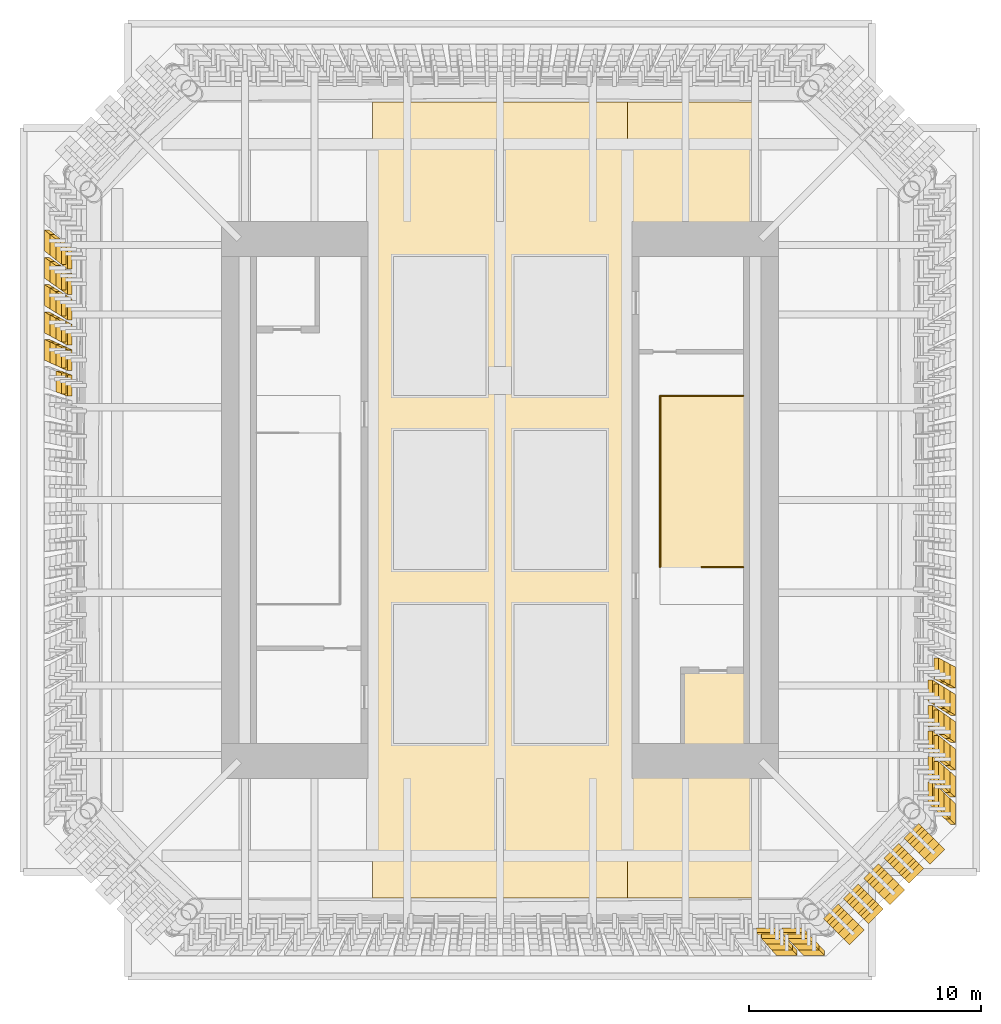
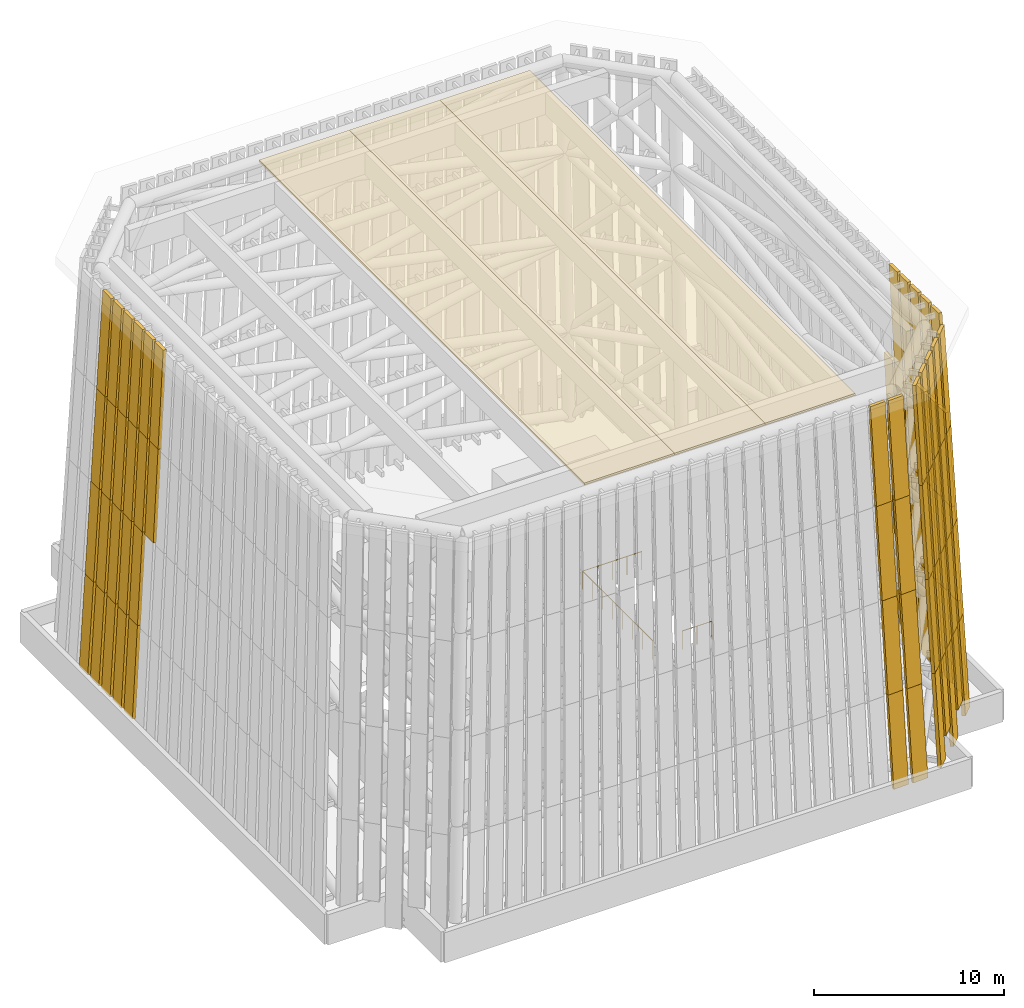
# One storey, part 9 of 13: 73 shading devices, 3 coverings, 2 railings.
"""IFC4 building model written with IfcOpenShell, lengths in metres."""

from ifc_helpers import new_model, si_unit, direction, frame, origin, origin_2d, place, context, subcontext, project, spatial, polyline, rectangle, circle, outline, extrude, source, transform, mapped, material, layer, layer_set, material_profile, profile_set, type_object, element, save


model = new_model("IFC4")

# Units and contexts
model_context = context("Model", 3, precision=1e-05, world=origin(), true_north=direction((0.0, 1.0)))
body_context = subcontext(model_context, "Body", "Model", "MODEL_VIEW")
ifc_project = project(units=[si_unit("LENGTHUNIT", "METRE"), si_unit("AREAUNIT", "SQUARE_METRE"), si_unit("VOLUMEUNIT", "CUBIC_METRE"), si_unit("PLANEANGLEUNIT", "RADIAN"), si_unit("MASSUNIT", "GRAM", prefix="KILO")], contexts=[model_context])

# Site, building, storey
site_placement = place(None, origin())
site = spatial("IfcSite", under=ifc_project, at=site_placement, CompositionType="ELEMENT")
building_placement = place(site_placement, origin())
building = spatial("IfcBuilding", under=site, at=building_placement, Name="Peilmerk Tower", CompositionType="ELEMENT")
storey_placement = place(building_placement, frame((0.0, 0.0, 307.800048828125)))
storey = spatial("IfcBuildingStorey", under=building, at=storey_placement, Name="RF", CompositionType="ELEMENT", Elevation=307.800048828125)

# Railings
ifc_material_1 = material(Name="Steel flat bar balustrade", Category="steel")
railing_type = type_object("IfcRailingType", Name="GR1 1200 stair guard", PredefinedType="GUARDRAIL", material=ifc_material_1)
railing_1_placement = place(storey_placement, frame((8.699951171875, -2.89990234375, 0.0)))
element("IfcRailing", 1, at=railing_1_placement, inside=storey, type_object=railing_type, Name="Guard stair 2 RF", PredefinedType="GUARDRAIL", context=body_context, shape_type="SweptSolid", body=[
    extrude(circle(Radius=0.02392578125, at=origin_2d()), frame((0.0, 0.0, 1.17578125), z_axis=(1.0, 0.0, 0.0), x_axis=(0.0, 1.0, 0.0)), (0.0, 0.0, 1.0), 1.800048828125),
    extrude(circle(Radius=0.02099609375, at=origin_2d()), origin(), (0.0, 0.0, 1.0), 1.15185546875),
    extrude(circle(Radius=0.02099609375, at=origin_2d()), frame((0.89990234375, 0.0, 0.0)), (0.0, 0.0, 1.0), 1.15185546875),
    extrude(circle(Radius=0.02099609375, at=origin_2d()), frame((1.800048828125, 0.0, 0.0)), (0.0, 0.0, 1.0), 1.15185546875),
])
railing_2_placement = place(storey_placement, frame((10.5, 4.5, 0.0)))
element("IfcRailing", 2, at=railing_2_placement, inside=storey, type_object=railing_type, Name="Guard stair 2 RF well", PredefinedType="GUARDRAIL", context=body_context, shape_type="SweptSolid", body=[
    extrude(circle(Radius=0.02392578125, at=origin_2d()), frame((0.0, 0.0, 1.17578125), z_axis=(-1.0, 0.0, 0.0), x_axis=(0.0, -1.0, 0.0)), (0.0, 0.0, 1.0), 3.60009765625),
    extrude(circle(Radius=0.02392578125, at=origin_2d()), frame((-3.60009765625, 0.0, 1.17578125), z_axis=(0.0, -1.0, 0.0), x_axis=(1.0, 0.0, 0.0)), (0.0, 0.0, 1.0), 7.39990234375),
    extrude(circle(Radius=0.02099609375, at=origin_2d()), origin(), (0.0, 0.0, 1.0), 1.15185546875),
    extrude(circle(Radius=0.02099609375, at=origin_2d()), frame((-0.89990234375, 0.0, 0.0)), (0.0, 0.0, 1.0), 1.15185546875),
    extrude(circle(Radius=0.02099609375, at=origin_2d()), frame((-1.800048828125, 0.0, 0.0)), (0.0, 0.0, 1.0), 1.15185546875),
    extrude(circle(Radius=0.02099609375, at=origin_2d()), frame((-2.7001953125, 0.0, 0.0)), (0.0, 0.0, 1.0), 1.15185546875),
    extrude(circle(Radius=0.02099609375, at=origin_2d()), frame((-3.60009765625, 0.0, 0.0)), (0.0, 0.0, 1.0), 1.15185546875),
    extrude(circle(Radius=0.02099609375, at=origin_2d()), frame((-3.60009765625, -1.05712890625, 0.0)), (0.0, 0.0, 1.0), 1.15185546875),
    extrude(circle(Radius=0.02099609375, at=origin_2d()), frame((-3.60009765625, -2.1142578125, 0.0)), (0.0, 0.0, 1.0), 1.15185546875),
    extrude(circle(Radius=0.02099609375, at=origin_2d()), frame((-3.60009765625, -3.17138671875, 0.0)), (0.0, 0.0, 1.0), 1.15185546875),
    extrude(circle(Radius=0.02099609375, at=origin_2d()), frame((-3.60009765625, -4.228515625, 0.0)), (0.0, 0.0, 1.0), 1.15185546875),
    extrude(circle(Radius=0.02099609375, at=origin_2d()), frame((-3.60009765625, -5.28564453125, 0.0)), (0.0, 0.0, 1.0), 1.15185546875),
    extrude(circle(Radius=0.02099609375, at=origin_2d()), frame((-3.60009765625, -6.3427734375, 0.0)), (0.0, 0.0, 1.0), 1.15185546875),
    extrude(circle(Radius=0.02099609375, at=origin_2d()), frame((-3.60009765625, -7.39990234375, 0.0)), (0.0, 0.0, 1.0), 1.15185546875),
])

# Coverings
ifc_material_2 = material(Name="Aluminium EN AW-6063 T6", Category="aluminium")
ifc_layer = layer(ifc_material_2, 0.1201171875)
ifc_layer_set = layer_set([ifc_layer], Name="Aluminium EN AW-6063 T6")
covering_type = type_object("IfcCoveringType", Name="LV1 120 louvre roof bay", PredefinedType="USERDEFINED", material=ifc_layer_set)
covering_1_placement = place(storey_placement, frame((0.0, 0.0, 24.199951171875)))
element("IfcCovering", 3, at=covering_1_placement, inside=storey, type_object=covering_type, Name="Crown louvre roof bay 3", ObjectType="LOUVRE ROOF", PredefinedType="USERDEFINED", context=body_context, shape_type="SweptSolid", body=[
    extrude(outline(polyline([(-5.5, -17.162353515625), (0.0, -17.162353515625), (0.0, 17.162353515625), (-5.5, 17.162353515625), (-5.5, -17.162353515625)])), origin(), (0.0, 0.0, 1.0), 0.1201171875),
])
covering_2_placement = place(storey_placement, frame((0.0, 0.0, 24.199951171875)))
element("IfcCovering", 4, at=covering_2_placement, inside=storey, type_object=covering_type, Name="Crown louvre roof bay 4", ObjectType="LOUVRE ROOF", PredefinedType="USERDEFINED", context=body_context, shape_type="SweptSolid", body=[
    extrude(outline(polyline([(0.0, -17.162353515625), (5.5, -17.162353515625), (5.5, 17.162353515625), (0.0, 17.162353515625), (0.0, -17.162353515625)])), origin(), (0.0, 0.0, 1.0), 0.1201171875),
])
covering_3_placement = place(storey_placement, frame((0.0, 0.0, 24.199951171875)))
element("IfcCovering", 5, at=covering_3_placement, inside=storey, type_object=covering_type, Name="Crown louvre roof bay 5", ObjectType="LOUVRE ROOF", PredefinedType="USERDEFINED", context=body_context, shape_type="SweptSolid", body=[
    extrude(outline(polyline([(5.5, -17.162353515625), (11.0, -17.162353515625), (11.0, 17.162353515625), (5.5, 17.162353515625), (5.5, -17.162353515625)])), origin(), (0.0, 0.0, 1.0), 0.1201171875),
])

# Shading devices
ifc_material_3 = material(Name="GRP composite, board-marked concrete finish", Category="concrete")
ifc_material_profile = material_profile(ifc_material_3, rectangle(XDim=0.199951171875, YDim=0.89990234375, at=origin_2d()), Name="CF1 200x900")
ifc_profile_set = profile_set([ifc_material_profile], Name="GRP composite, board-marked concrete finish")
shading_device_type = type_object("IfcShadingDeviceType", Name="CF1 200x900 GRP crown fin", PredefinedType="USERDEFINED", material=ifc_profile_set)
shared_shape_1 = source(origin(), body_context, "Body", "SweptSolid", [
    extrude(rectangle(XDim=0.199951171875, YDim=0.89990234375, at=origin_2d()), origin(), (0.0, 0.0, 1.0), 6.009765625),
])
for number, where, z_axis, x_axis, name in (
    (6, (18.796875, -15.31689453125, 0.0), (-0.040258485407, 0.040258485407, 0.998377938811), (0.705959810721, -0.705959810721, 0.056934096063), "Crown fin CF1 SE_E 1 tier 1"),
    (7, (18.554931640625, -15.074951171875, 6.0), (-0.040258485407, 0.040258485407, 0.998377938811), (0.705959810721, -0.705959810721, 0.056934096063), "Crown fin CF1 SE_E 1 tier 2"),
    (8, (18.31298828125, -14.8330078125, 12.0), (-0.040258485407, 0.040258485407, 0.998377938811), (0.705959810721, -0.705959810721, 0.056934096063), "Crown fin CF1 SE_E 1 tier 3"),
    (9, (17.684814453125, -15.94482421875, 6.0), (-0.040258485407, 0.040258485407, 0.998377938811), (0.705959810721, -0.705959810721, 0.056934096063), "Crown fin CF1 SE_E 2 tier 2"),
    (10, (17.44287109375, -15.702880859375, 12.0), (-0.040258485407, 0.040258485407, 0.998377938811), (0.705959810721, -0.705959810721, 0.056934096063), "Crown fin CF1 SE_E 2 tier 3"),
    (11, (16.81494140625, -16.81494140625, 6.0), (-0.040258485407, 0.040258485407, 0.998377938811), (0.705959810721, -0.705959810721, 0.056934096063), "Crown fin CF1 SE_E 3 tier 2"),
    (12, (16.572998046875, -16.572998046875, 12.0), (-0.040258485407, 0.040258485407, 0.998377938811), (0.705959810721, -0.705959810721, 0.056934096063), "Crown fin CF1 SE_E 3 tier 3"),
    (13, (15.94482421875, -17.684814453125, 6.0), (-0.040258485407, 0.040258485407, 0.998377938811), (0.705959810721, -0.705959810721, 0.056934096063), "Crown fin CF1 SE_E 4 tier 2"),
    (14, (15.702880859375, -17.44287109375, 12.0), (-0.040258485407, 0.040258485407, 0.998377938811), (0.705959810721, -0.705959810721, 0.056934096063), "Crown fin CF1 SE_E 4 tier 3"),
    (15, (15.31689453125, -18.796875, 0.0), (-0.040258485407, 0.040258485407, 0.998377938811), (0.705959810721, -0.705959810721, 0.056934096063), "Crown fin CF1 SE_E 5 tier 1"),
    (16, (15.074951171875, -18.554931640625, 6.0), (-0.040258485407, 0.040258485407, 0.998377938811), (0.705959810721, -0.705959810721, 0.056934096063), "Crown fin CF1 SE_E 5 tier 2"),
    (17, (14.8330078125, -18.31298828125, 12.0), (-0.040258485407, 0.040258485407, 0.998377938811), (0.705959810721, -0.705959810721, 0.056934096063), "Crown fin CF1 SE_E 5 tier 3"),
):
    element("IfcShadingDevice", number, at=place(storey_placement, frame(where, z_axis=z_axis, x_axis=x_axis)), inside=storey, type_object=shading_device_type, Name=name, ObjectType="CROWN FIN", PredefinedType="USERDEFINED", context=body_context, shape_type="MappedRepresentation", body=[
        mapped(shared_shape_1, transform((0.0, 0.0, 0.0), scale=1.0)),
    ])
shared_shape_2 = source(origin(), body_context, "Body", "SweptSolid", [
    extrude(rectangle(XDim=0.199951171875, YDim=0.89990234375, at=origin_2d()), origin(), (0.0, 0.0, 1.0), 6.36572265625),
])
for number, where, z_axis, x_axis, name in (
    (18, (18.071044921875, -14.591064453125, 18.0), (-0.040269510679, 0.040269510679, 0.998377049526), (0.705959181901, -0.705959181901, 0.056949688153), "Crown fin CF1 SE_E 1 tier 4"),
    (19, (17.200927734375, -15.4609375, 18.0), (-0.040231282973, 0.040231282973, 0.998380131884), (0.705961361457, -0.705961361457, 0.056895626012), "Crown fin CF1 SE_E 2 tier 4"),
    (20, (16.3310546875, -16.3310546875, 18.0), (-0.040269510679, 0.040269510679, 0.998377049526), (0.705959181901, -0.705959181901, 0.056949688153), "Crown fin CF1 SE_E 3 tier 4"),
    (21, (15.4609375, -17.200927734375, 18.0), (-0.040231282973, 0.040231282973, 0.998380131884), (0.705961361457, -0.705961361457, 0.056895626012), "Crown fin CF1 SE_E 4 tier 4"),
    (22, (14.591064453125, -18.071044921875, 18.0), (-0.040269510679, 0.040269510679, 0.998377049526), (0.705959181901, -0.705959181901, 0.056949688153), "Crown fin CF1 SE_E 5 tier 4"),
):
    element("IfcShadingDevice", number, at=place(storey_placement, frame(where, z_axis=z_axis, x_axis=x_axis)), inside=storey, type_object=shading_device_type, Name=name, ObjectType="CROWN FIN", PredefinedType="USERDEFINED", context=body_context, shape_type="MappedRepresentation", body=[
        mapped(shared_shape_2, transform((0.0, 0.0, 0.0), scale=1.0)),
    ])
shared_shape_3 = source(origin(), body_context, "Body", "SweptSolid", [
    extrude(rectangle(XDim=0.199951171875, YDim=0.89990234375, at=origin_2d()), origin(), (0.0, 0.0, 1.0), 4.807861328125),
])
for number, where, z_axis, x_axis, name in (
    (23, (17.87841796875, -16.138427734375, 1.199951171875), (-0.040268200199, 0.040268200199, 0.99837715524), (0.705959256652, -0.705959256652, 0.056947834853), "Crown fin CF1 SE_E 2 tier 1"),
    (24, (16.138427734375, -17.87841796875, 1.199951171875), (-0.040268200199, 0.040268200199, 0.99837715524), (0.705959256652, -0.705959256652, 0.056947834853), "Crown fin CF1 SE_E 4 tier 1"),
):
    element("IfcShadingDevice", number, at=place(storey_placement, frame(where, z_axis=z_axis, x_axis=x_axis)), inside=storey, type_object=shading_device_type, Name=name, ObjectType="CROWN FIN", PredefinedType="USERDEFINED", context=body_context, shape_type="MappedRepresentation", body=[
        mapped(shared_shape_3, transform((0.0, 0.0, 0.0), scale=1.0)),
    ])
shared_shape_4 = source(origin(), body_context, "Body", "SweptSolid", [
    extrude(rectangle(XDim=0.199951171875, YDim=0.89990234375, at=origin_2d()), origin(), (0.0, 0.0, 1.0), 6.310302734375),
])
shading_device_1_placement = place(storey_placement, frame((17.06884765625, -17.06884765625, -0.300048828125), z_axis=(-0.040236964191, 0.040236964191, 0.998379673985), x_axis=(0.705961037673, -0.705961037673, 0.056903660467)))
element("IfcShadingDevice", 25, at=shading_device_1_placement, inside=storey, type_object=shading_device_type, Name="Crown fin CF1 SE_E 3 tier 1", ObjectType="CROWN FIN", PredefinedType="USERDEFINED", context=body_context, shape_type="MappedRepresentation", body=[
    mapped(shared_shape_4, transform((0.0, 0.0, 0.0), scale=1.0)),
])
shared_shape_5 = source(origin(), body_context, "Body", "SweptSolid", [
    extrude(rectangle(XDim=0.199951171875, YDim=0.89990234375, at=origin_2d()), origin(), (0.0, 0.0, 1.0), 6.00927734375),
])
for number, where, z_axis, x_axis, name in (
    (26, (19.541015625, -13.54638671875, 0.0), (-0.040261192417, 0.038554865392, 0.998445070467), (0.999189189486, 0.001553524468, 0.040231208987), "Crown fin CF1 NE_E 24 tier 1"),
    (27, (19.299072265625, -13.314697265625, 6.0), (-0.04026112932, 0.03859543174, 0.99844350572), (0.999189192028, 0.001555156602, 0.040231082785), "Crown fin CF1 NE_E 24 tier 2"),
    (28, (19.05712890625, -13.082763671875, 12.0), (-0.04026112932, 0.03859543174, 0.99844350572), (0.999189192028, 0.001555156602, 0.040231082785), "Crown fin CF1 NE_E 24 tier 3"),
    (29, (13.54638671875, -19.541015625, 0.0), (-0.038554865392, 0.040261192417, 0.998445070467), (-0.001553524468, -0.999189189486, 0.040231208987), "Crown fin CF1 SE_S 1 tier 1"),
    (30, (13.314697265625, -19.299072265625, 6.0), (-0.03859543174, 0.04026112932, 0.99844350572), (-0.001555156602, -0.999189192028, 0.040231082785), "Crown fin CF1 SE_S 1 tier 2"),
    (31, (13.082763671875, -19.05712890625, 12.0), (-0.03859543174, 0.04026112932, 0.99844350572), (-0.001555156602, -0.999189192028, 0.040231082785), "Crown fin CF1 SE_S 1 tier 3"),
):
    element("IfcShadingDevice", number, at=place(storey_placement, frame(where, z_axis=z_axis, x_axis=x_axis)), inside=storey, type_object=shading_device_type, Name=name, ObjectType="CROWN FIN", PredefinedType="USERDEFINED", context=body_context, shape_type="MappedRepresentation", body=[
        mapped(shared_shape_5, transform((0.0, 0.0, 0.0), scale=1.0)),
    ])
shared_shape_6 = source(origin(), body_context, "Body", "SweptSolid", [
    extrude(rectangle(XDim=0.199951171875, YDim=0.89990234375, at=origin_2d()), origin(), (0.0, 0.0, 1.0), 6.365478515625),
])
for number, where, z_axis, x_axis, name in (
    (32, (18.815185546875, -12.850830078125, 18.0), (-0.040272249661, 0.038546296104, 0.9984449554), (0.999188743885, 0.001553606433, 0.040242271305), "Crown fin CF1 NE_E 24 tier 4"),
    (33, (12.850830078125, -18.815185546875, 18.0), (-0.038546296104, 0.040272249661, 0.9984449554), (-0.001553606433, -0.999188743885, 0.040242271305), "Crown fin CF1 SE_S 1 tier 4"),
):
    element("IfcShadingDevice", number, at=place(storey_placement, frame(where, z_axis=z_axis, x_axis=x_axis)), inside=storey, type_object=shading_device_type, Name=name, ObjectType="CROWN FIN", PredefinedType="USERDEFINED", context=body_context, shape_type="MappedRepresentation", body=[
        mapped(shared_shape_6, transform((0.0, 0.0, 0.0), scale=1.0)),
    ])
shared_shape_7 = source(origin(), body_context, "Body", "SweptSolid", [
    extrude(rectangle(XDim=0.199951171875, YDim=0.89990234375, at=origin_2d()), origin(), (0.0, 0.0, 1.0), 6.008544921875),
])
for number, where, z_axis, x_axis, name in (
    (34, (19.541015625, -12.36865234375, 0.0), (-0.040266083462, 0.035268375827, 0.998566364439), (0.999188992395, 0.001421272027, 0.040240992324), "Crown fin CF1 NE_E 23 tier 1"),
    (35, (19.299072265625, -12.15673828125, 6.0), (-0.040266141131, 0.035227794511, 0.99856779458), (0.999188990071, 0.001419638687, 0.040241107683), "Crown fin CF1 NE_E 23 tier 2"),
    (36, (19.05712890625, -11.945068359375, 12.0), (-0.040266141131, 0.035227794511, 0.99856779458), (0.999188990071, 0.001419638687, 0.040241107683), "Crown fin CF1 NE_E 23 tier 3"),
    (37, (12.36865234375, -19.541015625, 0.0), (-0.035268375827, 0.040266083462, 0.998566364439), (-0.001421272027, -0.999188992395, 0.040240992324), "Crown fin CF1 SE_S 2 tier 1"),
    (38, (12.15673828125, -19.299072265625, 6.0), (-0.035227794511, 0.040266141131, 0.99856779458), (-0.001419638687, -0.999188990071, 0.040241107683), "Crown fin CF1 SE_S 2 tier 2"),
    (39, (11.945068359375, -19.05712890625, 12.0), (-0.035227794511, 0.040266141131, 0.99856779458), (-0.001419638687, -0.999188990071, 0.040241107683), "Crown fin CF1 SE_S 2 tier 3"),
):
    element("IfcShadingDevice", number, at=place(storey_placement, frame(where, z_axis=z_axis, x_axis=x_axis)), inside=storey, type_object=shading_device_type, Name=name, ObjectType="CROWN FIN", PredefinedType="USERDEFINED", context=body_context, shape_type="MappedRepresentation", body=[
        mapped(shared_shape_7, transform((0.0, 0.0, 0.0), scale=1.0)),
    ])
shared_shape_8 = source(origin(), body_context, "Body", "SweptSolid", [
    extrude(rectangle(XDim=0.199951171875, YDim=0.89990234375, at=origin_2d()), origin(), (0.0, 0.0, 1.0), 6.364501953125),
])
for number, where, z_axis, x_axis, name in (
    (40, (18.815185546875, -11.7333984375, 18.0), (-0.040277206305, 0.035213786084, 0.998567842423), (0.999188544096, 0.00141946476, 0.040252185873), "Crown fin CF1 NE_E 23 tier 4"),
    (41, (11.7333984375, -18.815185546875, 18.0), (-0.035213786084, 0.040277206305, 0.998567842423), (-0.00141946476, -0.999188544096, 0.040252185873), "Crown fin CF1 SE_S 2 tier 4"),
):
    element("IfcShadingDevice", number, at=place(storey_placement, frame(where, z_axis=z_axis, x_axis=x_axis)), inside=storey, type_object=shading_device_type, Name=name, ObjectType="CROWN FIN", PredefinedType="USERDEFINED", context=body_context, shape_type="MappedRepresentation", body=[
        mapped(shared_shape_8, transform((0.0, 0.0, 0.0), scale=1.0)),
    ])
shared_shape_9 = source(origin(), body_context, "Body", "SweptSolid", [
    extrude(rectangle(XDim=0.199951171875, YDim=0.89990234375, at=origin_2d()), origin(), (0.0, 0.0, 1.0), 6.0078125),
])
for number, where, z_axis, x_axis, name in (
    (42, (19.541015625, -11.190673828125, 0.0), (-0.04027064452, 0.031899551915, 0.998679474996), (0.999188808579, 0.001285658431, 0.040250116676), "Crown fin CF1 NE_E 22 tier 1"),
    (43, (19.299072265625, -10.9990234375, 6.0), (-0.040270696689, 0.031858956815, 0.998680768744), (0.999188806477, 0.001284023979, 0.040250221046), "Crown fin CF1 NE_E 22 tier 2"),
    (44, (19.05712890625, -10.8076171875, 12.0), (-0.04027064452, 0.031899551915, 0.998679474996), (0.999188808579, 0.001285658431, 0.040250116676), "Crown fin CF1 NE_E 22 tier 3"),
    (45, (-19.541015625, 11.190673828125, 0.0), (0.04027064452, -0.031899551915, 0.998679474996), (-0.999188808579, -0.001285658431, 0.040250116676), "Crown fin CF1 SW_W 22 tier 1"),
    (46, (-19.299072265625, 10.9990234375, 6.0), (0.040270696689, -0.031858956815, 0.998680768744), (-0.999188806477, -0.001284023979, 0.040250221046), "Crown fin CF1 SW_W 22 tier 2"),
    (47, (-19.05712890625, 10.8076171875, 12.0), (0.04027064452, -0.031899551915, 0.998679474996), (-0.999188808579, -0.001285658431, 0.040250116676), "Crown fin CF1 SW_W 22 tier 3"),
):
    element("IfcShadingDevice", number, at=place(storey_placement, frame(where, z_axis=z_axis, x_axis=x_axis)), inside=storey, type_object=shading_device_type, Name=name, ObjectType="CROWN FIN", PredefinedType="USERDEFINED", context=body_context, shape_type="MappedRepresentation", body=[
        mapped(shared_shape_9, transform((0.0, 0.0, 0.0), scale=1.0)),
    ])
shared_shape_10 = source(origin(), body_context, "Body", "SweptSolid", [
    extrude(rectangle(XDim=0.199951171875, YDim=0.89990234375, at=origin_2d()), origin(), (0.0, 0.0, 1.0), 6.36376953125),
])
for number, where, z_axis, x_axis, name in (
    (48, (18.815185546875, -10.615966796875, 18.0), (-0.040281716045, 0.031880100984, 0.998679649594), (0.999188362298, 0.001285228315, 0.040261207578), "Crown fin CF1 NE_E 22 tier 4"),
    (49, (-18.815185546875, 10.615966796875, 18.0), (0.040281716045, -0.031880100984, 0.998679649594), (-0.999188362298, -0.001285228315, 0.040261207578), "Crown fin CF1 SW_W 22 tier 4"),
):
    element("IfcShadingDevice", number, at=place(storey_placement, frame(where, z_axis=z_axis, x_axis=x_axis)), inside=storey, type_object=shading_device_type, Name=name, ObjectType="CROWN FIN", PredefinedType="USERDEFINED", context=body_context, shape_type="MappedRepresentation", body=[
        mapped(shared_shape_10, transform((0.0, 0.0, 0.0), scale=1.0)),
    ])
shared_shape_11 = source(origin(), body_context, "Body", "SweptSolid", [
    extrude(rectangle(XDim=0.199951171875, YDim=0.89990234375, at=origin_2d()), origin(), (0.0, 0.0, 1.0), 6.00732421875),
])
for number, where, z_axis, x_axis, name in (
    (50, (19.541015625, -10.0126953125, 0.0), (-0.040274748865, 0.028529640468, 0.998781259445), (0.999188643152, 0.001149957131, 0.040258328266), "Crown fin CF1 NE_E 21 tier 1"),
    (51, (19.299072265625, -9.84130859375, 6.0), (-0.040274748865, 0.028529640468, 0.998781259445), (0.999188643152, 0.001149957131, 0.040258328266), "Crown fin CF1 NE_E 21 tier 2"),
    (52, (19.05712890625, -9.669921875, 12.0), (-0.040274748865, 0.028529640468, 0.998781259445), (0.999188643152, 0.001149957131, 0.040258328266), "Crown fin CF1 NE_E 21 tier 3"),
    (53, (-19.541015625, 10.0126953125, 0.0), (0.040274748865, -0.028529640468, 0.998781259445), (-0.999188643152, -0.001149957131, 0.040258328266), "Crown fin CF1 SW_W 21 tier 1"),
    (54, (-19.299072265625, 9.84130859375, 6.0), (0.040274748865, -0.028529640468, 0.998781259445), (-0.999188643152, -0.001149957131, 0.040258328266), "Crown fin CF1 SW_W 21 tier 2"),
    (55, (-19.05712890625, 9.669921875, 12.0), (0.040274748865, -0.028529640468, 0.998781259445), (-0.999188643152, -0.001149957131, 0.040258328266), "Crown fin CF1 SW_W 21 tier 3"),
):
    element("IfcShadingDevice", number, at=place(storey_placement, frame(where, z_axis=z_axis, x_axis=x_axis)), inside=storey, type_object=shading_device_type, Name=name, ObjectType="CROWN FIN", PredefinedType="USERDEFINED", context=body_context, shape_type="MappedRepresentation", body=[
        mapped(shared_shape_11, transform((0.0, 0.0, 0.0), scale=1.0)),
    ])
shared_shape_12 = source(origin(), body_context, "Body", "SweptSolid", [
    extrude(rectangle(XDim=0.199951171875, YDim=0.89990234375, at=origin_2d()), origin(), (0.0, 0.0, 1.0), 6.36328125),
])
for number, where, z_axis, x_axis, name in (
    (56, (18.815185546875, -9.49853515625, 18.0), (-0.040285778427, 0.028545351571, 0.998780365726), (0.999188198517, 0.001150906016, 0.040269335217), "Crown fin CF1 NE_E 21 tier 4"),
    (57, (-18.815185546875, 9.49853515625, 18.0), (0.040285778427, -0.028545351571, 0.998780365726), (-0.999188198517, -0.001150906016, 0.040269335217), "Crown fin CF1 SW_W 21 tier 4"),
):
    element("IfcShadingDevice", number, at=place(storey_placement, frame(where, z_axis=z_axis, x_axis=x_axis)), inside=storey, type_object=shading_device_type, Name=name, ObjectType="CROWN FIN", PredefinedType="USERDEFINED", context=body_context, shape_type="MappedRepresentation", body=[
        mapped(shared_shape_12, transform((0.0, 0.0, 0.0), scale=1.0)),
    ])
shared_shape_13 = source(origin(), body_context, "Body", "SweptSolid", [
    extrude(rectangle(XDim=0.199951171875, YDim=0.89990234375, at=origin_2d()), origin(), (0.0, 0.0, 1.0), 6.0068359375),
])
for number, where, z_axis, x_axis, name in (
    (58, (19.541015625, -8.834716796875, 0.0), (-0.040278354858, 0.025199374381, 0.998870685154), (0.999188497797, 0.001015813679, 0.040265543491), "Crown fin CF1 NE_E 20 tier 1"),
    (59, (19.299072265625, -8.683349609375, 6.0), (-0.040278396078, 0.025158755976, 0.998871707381), (0.999188496135, 0.001014177347, 0.040265625972), "Crown fin CF1 NE_E 20 tier 2"),
    (60, (19.05712890625, -8.5322265625, 12.0), (-0.040278396078, 0.025158755976, 0.998871707381), (0.999188496135, 0.001014177347, 0.040265625972), "Crown fin CF1 NE_E 20 tier 3"),
    (61, (-19.541015625, 8.834716796875, 0.0), (0.040278354858, -0.025199374381, 0.998870685154), (-0.999188497797, -0.001015813679, 0.040265543491), "Crown fin CF1 SW_W 20 tier 1"),
    (62, (-19.299072265625, 8.683349609375, 6.0), (0.040278396078, -0.025158755976, 0.998871707381), (-0.999188496135, -0.001014177347, 0.040265625972), "Crown fin CF1 SW_W 20 tier 2"),
    (63, (-19.05712890625, 8.5322265625, 12.0), (0.040278396078, -0.025158755976, 0.998871707381), (-0.999188496135, -0.001014177347, 0.040265625972), "Crown fin CF1 SW_W 20 tier 3"),
):
    element("IfcShadingDevice", number, at=place(storey_placement, frame(where, z_axis=z_axis, x_axis=x_axis)), inside=storey, type_object=shading_device_type, Name=name, ObjectType="CROWN FIN", PredefinedType="USERDEFINED", context=body_context, shape_type="MappedRepresentation", body=[
        mapped(shared_shape_13, transform((0.0, 0.0, 0.0), scale=1.0)),
    ])
shared_shape_14 = source(origin(), body_context, "Body", "SweptSolid", [
    extrude(rectangle(XDim=0.199951171875, YDim=0.89990234375, at=origin_2d()), origin(), (0.0, 0.0, 1.0), 6.362548828125),
])
for number, where, z_axis, x_axis, name in (
    (64, (18.815185546875, -8.381103515625, 18.0), (-0.040289431989, 0.025171302271, 0.998870946225), (0.999188051205, 0.001014961568, 0.040276645628), "Crown fin CF1 NE_E 20 tier 4"),
    (65, (-18.815185546875, 8.381103515625, 18.0), (0.040289431989, -0.025171302271, 0.998870946225), (-0.999188051205, -0.001014961568, 0.040276645628), "Crown fin CF1 SW_W 20 tier 4"),
):
    element("IfcShadingDevice", number, at=place(storey_placement, frame(where, z_axis=z_axis, x_axis=x_axis)), inside=storey, type_object=shading_device_type, Name=name, ObjectType="CROWN FIN", PredefinedType="USERDEFINED", context=body_context, shape_type="MappedRepresentation", body=[
        mapped(shared_shape_14, transform((0.0, 0.0, 0.0), scale=1.0)),
    ])
shared_shape_15 = source(origin(), body_context, "Body", "SweptSolid", [
    extrude(rectangle(XDim=0.199951171875, YDim=0.89990234375, at=origin_2d()), origin(), (0.0, 0.0, 1.0), 6.00634765625),
])
for number, where, z_axis, x_axis, name in (
    (66, (19.541015625, -7.65673828125, 0.0), (-0.04028155008, 0.021827641163, 0.998949924072), (0.999188368989, 0.000879965428, 0.040271937347), "Crown fin CF1 NE_E 19 tier 1"),
    (67, (19.299072265625, -7.525634765625, 6.0), (-0.04028155008, 0.021827641163, 0.998949924072), (0.999188368989, 0.000879965428, 0.040271937347), "Crown fin CF1 NE_E 19 tier 2"),
    (68, (19.05712890625, -7.39453125, 12.0), (-0.040281585786, 0.021787013099, 0.998950809553), (0.99918836755, 0.000878328317, 0.0402720088), "Crown fin CF1 NE_E 19 tier 3"),
    (69, (-19.541015625, 7.65673828125, 0.0), (0.04028155008, -0.021827641163, 0.998949924072), (-0.999188368989, -0.000879965428, 0.040271937347), "Crown fin CF1 SW_W 19 tier 1"),
    (70, (-19.299072265625, 7.525634765625, 6.0), (0.04028155008, -0.021827641163, 0.998949924072), (-0.999188368989, -0.000879965428, 0.040271937347), "Crown fin CF1 SW_W 19 tier 2"),
    (71, (-19.05712890625, 7.39453125, 12.0), (0.040281585786, -0.021787013099, 0.998950809553), (-0.99918836755, -0.000878328317, 0.0402720088), "Crown fin CF1 SW_W 19 tier 3"),
):
    element("IfcShadingDevice", number, at=place(storey_placement, frame(where, z_axis=z_axis, x_axis=x_axis)), inside=storey, type_object=shading_device_type, Name=name, ObjectType="CROWN FIN", PredefinedType="USERDEFINED", context=body_context, shape_type="MappedRepresentation", body=[
        mapped(shared_shape_15, transform((0.0, 0.0, 0.0), scale=1.0)),
    ])
shared_shape_16 = source(origin(), body_context, "Body", "SweptSolid", [
    extrude(rectangle(XDim=0.199951171875, YDim=0.89990234375, at=origin_2d()), origin(), (0.0, 0.0, 1.0), 6.362060546875),
])
shading_device_2_placement = place(storey_placement, frame((-18.815185546875, 7.263671875, 18.0), z_axis=(0.04029259333, -0.021834748195, 0.998949323386), x_axis=(-0.999187923727, -0.000880493657, 0.04028297169)))
element("IfcShadingDevice", 72, at=shading_device_2_placement, inside=storey, type_object=shading_device_type, Name="Crown fin CF1 SW_W 19 tier 4", ObjectType="CROWN FIN", PredefinedType="USERDEFINED", context=body_context, shape_type="MappedRepresentation", body=[
    mapped(shared_shape_16, transform((0.0, 0.0, 0.0), scale=1.0)),
])
shared_shape_17 = source(origin(), body_context, "Body", "SweptSolid", [
    extrude(rectangle(XDim=0.199951171875, YDim=0.89990234375, at=origin_2d()), origin(), (0.0, 0.0, 1.0), 6.005859375),
])
for number, where, z_axis, x_axis, name in (
    (73, (-19.541015625, 6.478759765625, 0.0), (0.040284287473, -0.01845516298, 0.999017809222), (-0.999188258629, -0.000744057073, 0.040277415462), "Crown fin CF1 SW_W 18 tier 1"),
    (74, (-19.299072265625, 6.367919921875, 6.0), (0.040284287473, -0.01845516298, 0.999017809222), (-0.999188258629, -0.000744057073, 0.040277415462), "Crown fin CF1 SW_W 18 tier 2"),
    (75, (-19.05712890625, 6.257080078125, 12.0), (0.040284257218, -0.018495799227, 0.999017058929), (-0.999188259849, -0.000745694844, 0.040277354914), "Crown fin CF1 SW_W 18 tier 3"),
):
    element("IfcShadingDevice", number, at=place(storey_placement, frame(where, z_axis=z_axis, x_axis=x_axis)), inside=storey, type_object=shading_device_type, Name=name, ObjectType="CROWN FIN", PredefinedType="USERDEFINED", context=body_context, shape_type="MappedRepresentation", body=[
        mapped(shared_shape_17, transform((0.0, 0.0, 0.0), scale=1.0)),
    ])
shared_shape_18 = source(origin(), body_context, "Body", "SweptSolid", [
    extrude(rectangle(XDim=0.199951171875, YDim=0.89990234375, at=origin_2d()), origin(), (0.0, 0.0, 1.0), 6.36181640625),
])
shading_device_3_placement = place(storey_placement, frame((-18.815185546875, 6.14599609375, 18.0), z_axis=(0.040295334799, -0.018459100989, 0.999017290934), x_axis=(-0.999187813173, -0.000744420263, 0.040288457963)))
element("IfcShadingDevice", 76, at=shading_device_3_placement, inside=storey, type_object=shading_device_type, Name="Crown fin CF1 SW_W 18 tier 4", ObjectType="CROWN FIN", PredefinedType="USERDEFINED", context=body_context, shape_type="MappedRepresentation", body=[
    mapped(shared_shape_18, transform((0.0, 0.0, 0.0), scale=1.0)),
])
shared_shape_19 = source(origin(), body_context, "Body", "SweptSolid", [
    extrude(rectangle(XDim=0.199951171875, YDim=0.89990234375, at=origin_2d()), origin(), (0.0, 0.0, 1.0), 6.005615234375),
])
shading_device_4_placement = place(storey_placement, frame((-19.05712890625, 5.119384765625, 12.0), z_axis=(0.040286542024, -0.015122697914, 0.999073720273), x_axis=(-0.99918816773, -0.000609736209, 0.040281927586)))
element("IfcShadingDevice", 77, at=shading_device_4_placement, inside=storey, type_object=shading_device_type, Name="Crown fin CF1 SW_W 17 tier 3", ObjectType="CROWN FIN", PredefinedType="USERDEFINED", context=body_context, shape_type="MappedRepresentation", body=[
    mapped(shared_shape_19, transform((0.0, 0.0, 0.0), scale=1.0)),
])
shared_shape_20 = source(origin(), body_context, "Body", "SweptSolid", [
    extrude(rectangle(XDim=0.199951171875, YDim=0.89990234375, at=origin_2d()), origin(), (0.0, 0.0, 1.0), 6.361328125),
])
shading_device_5_placement = place(storey_placement, frame((-18.815185546875, 5.028564453125, 18.0), z_axis=(0.040297617172, -0.015082822427, 0.999073876406), x_axis=(-0.999187721127, -0.00060829591, 0.040293025772)))
element("IfcShadingDevice", 78, at=shading_device_5_placement, inside=storey, type_object=shading_device_type, Name="Crown fin CF1 SW_W 17 tier 4", ObjectType="CROWN FIN", PredefinedType="USERDEFINED", context=body_context, shape_type="MappedRepresentation", body=[
    mapped(shared_shape_20, transform((0.0, 0.0, 0.0), scale=1.0)),
])

save(model, "model.ifc")
